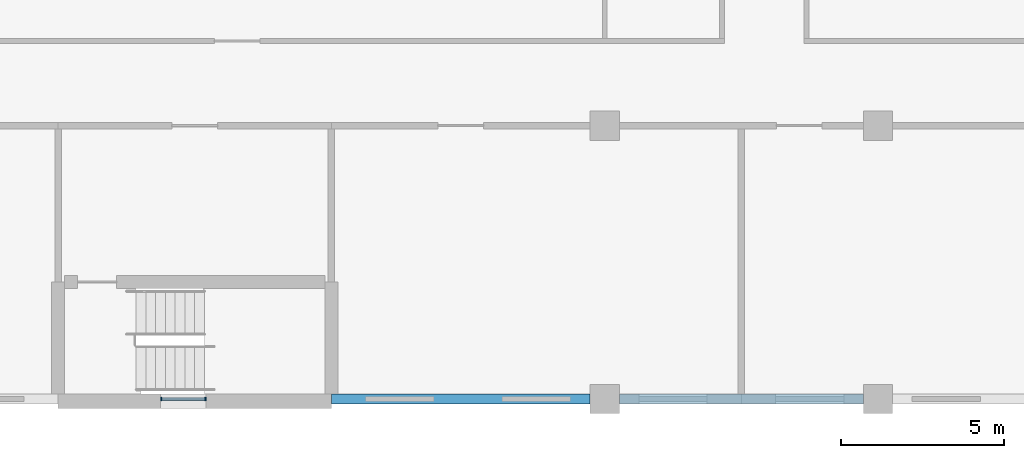
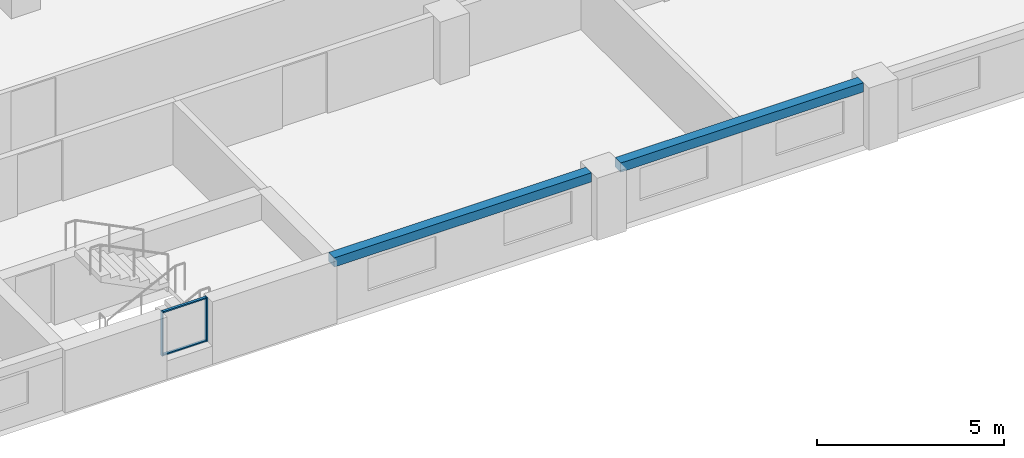
# One storey, part 3 of 48: 4 members, 2 beams, 1 element without a shape of its own.
"""IFC4 building model written with IfcOpenShell, lengths in metres."""

from ifc_helpers import new_model, si_unit, direction, frame, origin, origin_2d, place, context, subcontext, project, spatial, rectangle, extrude, material, material_profile, profile_set, type_object, element, aggregate, save


model = new_model("IFC4")

# Units and contexts
model_context = context("Model", 3, precision=1e-05, world=origin(), true_north=direction((0.0, 1.0)))
body_context = subcontext(model_context, "Body", "Model", "MODEL_VIEW")
ifc_project = project(units=[si_unit("LENGTHUNIT", "METRE"), si_unit("AREAUNIT", "SQUARE_METRE"), si_unit("VOLUMEUNIT", "CUBIC_METRE"), si_unit("PLANEANGLEUNIT", "RADIAN"), si_unit("MASSUNIT", "GRAM", prefix="KILO")], contexts=[model_context])

# Site, building, storey
site_placement = place(None, origin())
site = spatial("IfcSite", under=ifc_project, at=site_placement, CompositionType="ELEMENT")
building_placement = place(site_placement, origin())
building = spatial("IfcBuilding", under=site, at=building_placement, Name="Yavir Park General Hospital", CompositionType="ELEMENT")
storey_placement = place(building_placement, frame((0.0, 0.0, 12.89990234375)))
storey = spatial("IfcBuildingStorey", under=building, at=storey_placement, Name="I02", CompositionType="ELEMENT", Elevation=12.89990234375)

# Beams
ifc_material_1 = material(Name="Concrete C35/45", Category="concrete")
ifc_material_profile_1 = material_profile(ifc_material_1, rectangle(XDim=0.300048828125, YDim=0.300048828125, at=origin_2d()), Name="RC300x300")
ifc_profile_set_1 = profile_set([ifc_material_profile_1], Name="Concrete C35/45")
beam_type = type_object("IfcBeamType", Name="RC BEAM 300x300 edge beam", PredefinedType="BEAM", material=ifc_profile_set_1)
beam_1_placement = place(storey_placement, frame((42.0, 0.0, 1.89013671875), z_axis=(1.0, 0.0, 0.0), x_axis=(0.0, 1.0, 0.0)))
element("IfcBeam", 1, at=beam_1_placement, inside=storey, type_object=beam_type, Name="B:EDGE:I02:005", PredefinedType="BEAM", context=body_context, shape_type="SweptSolid", body=[
    extrude(rectangle(XDim=0.300048828125, YDim=0.300048828125, at=origin_2d()), origin(), (0.0, 0.0, 1.0), 7.949951171875),
])
beam_2_placement = place(storey_placement, frame((50.85009765625, 0.0, 1.89013671875), z_axis=(1.0, 0.0, 0.0), x_axis=(0.0, 1.0, 0.0)))
element("IfcBeam", 2, at=beam_2_placement, inside=storey, type_object=beam_type, Name="B:EDGE:I02:006", PredefinedType="BEAM", context=body_context, shape_type="SweptSolid", body=[
    extrude(rectangle(XDim=0.300048828125, YDim=0.300048828125, at=origin_2d()), origin(), (0.0, 0.0, 1.0), 7.5),
])

# Curtain wall, members
ifc_material_2 = material(Name="Aluminium curtain wall frame with insulated glazing", Category="aluminium")
curtain_wall_type = type_object("IfcCurtainWallType", Name="Stair light slot, interstitial floor, 1440 high, 1400 module", PredefinedType="NOTDEFINED", material=ifc_material_2)
curtain_wall_placement = place(storey_placement, origin())
curtain_wall = element("IfcCurtainWall", 3, at=curtain_wall_placement, inside=storey, type_object=curtain_wall_type, Name="CW12 I02-001", PredefinedType="NOTDEFINED")
ifc_material_3 = material(Name="Aluminium", Category="aluminium")
ifc_material_profile_2 = material_profile(ifc_material_3, rectangle(XDim=0.10009765625, YDim=0.0400390625, at=origin_2d()), Name="AL 40x100")
ifc_profile_set_2 = profile_set([ifc_material_profile_2], Name="Aluminium")
member_type_1 = type_object("IfcMemberType", Name="Stair light slot, interstitial floor, 1440 high mullion 40 x 100", PredefinedType="MULLION", material=ifc_profile_set_2)
member_1_placement = place(storey_placement, frame((36.77001953125, 0.0, 0.60009765625), z_axis=(0.0, 0.0, 1.0), x_axis=(0.0, 1.0, 0.0)))
member_1 = element("IfcMember", 4, at=member_1_placement, type_object=member_type_1, Name="CW12 mullion 1", PredefinedType="MULLION", context=body_context, shape_type="SweptSolid", body=[
    extrude(rectangle(XDim=0.10009765625, YDim=0.0400390625, at=origin_2d()), origin(), (0.0, 0.0, 1.0), 1.43994140625),
])
member_2_placement = place(storey_placement, frame((38.1298828125, 0.0, 0.60009765625), z_axis=(0.0, 0.0, 1.0), x_axis=(0.0, 1.0, 0.0)))
member_2 = element("IfcMember", 5, at=member_2_placement, type_object=member_type_1, Name="CW12 mullion 2", PredefinedType="MULLION", context=body_context, shape_type="SweptSolid", body=[
    extrude(rectangle(XDim=0.10009765625, YDim=0.0400390625, at=origin_2d()), origin(), (0.0, 0.0, 1.0), 1.43994140625),
])
ifc_material_4 = material(Name="Aluminium", Category="aluminium")
ifc_material_profile_3 = material_profile(ifc_material_4, rectangle(XDim=0.080078125, YDim=0.0400390625, at=origin_2d()), Name="AL 80x40")
ifc_profile_set_3 = profile_set([ifc_material_profile_3], Name="Aluminium")
member_type_2 = type_object("IfcMemberType", Name="Stair light slot, interstitial floor, 1440 high transom 40 x 80", PredefinedType="MULLION", material=ifc_profile_set_3)
member_3_placement = place(storey_placement, frame((36.7900390625, 0.0, 0.6201171875), z_axis=(1.0, 0.0, 0.0), x_axis=(0.0, 1.0, 0.0)))
member_3 = element("IfcMember", 6, at=member_3_placement, type_object=member_type_2, Name="CW12 transom 1.1", PredefinedType="MULLION", context=body_context, shape_type="SweptSolid", body=[
    extrude(rectangle(XDim=0.080078125, YDim=0.0400390625, at=origin_2d()), origin(), (0.0, 0.0, 1.0), 1.320068359375),
])
member_4_placement = place(storey_placement, frame((36.7900390625, 0.0, 2.02001953125), z_axis=(1.0, 0.0, 0.0), x_axis=(0.0, 1.0, 0.0)))
member_4 = element("IfcMember", 7, at=member_4_placement, type_object=member_type_2, Name="CW12 transom 1.2", PredefinedType="MULLION", context=body_context, shape_type="SweptSolid", body=[
    extrude(rectangle(XDim=0.080078125, YDim=0.0400390625, at=origin_2d()), origin(), (0.0, 0.0, 1.0), 1.320068359375),
])
aggregate(curtain_wall, [member_1, member_2, member_3, member_4])

save(model, "model.ifc")
